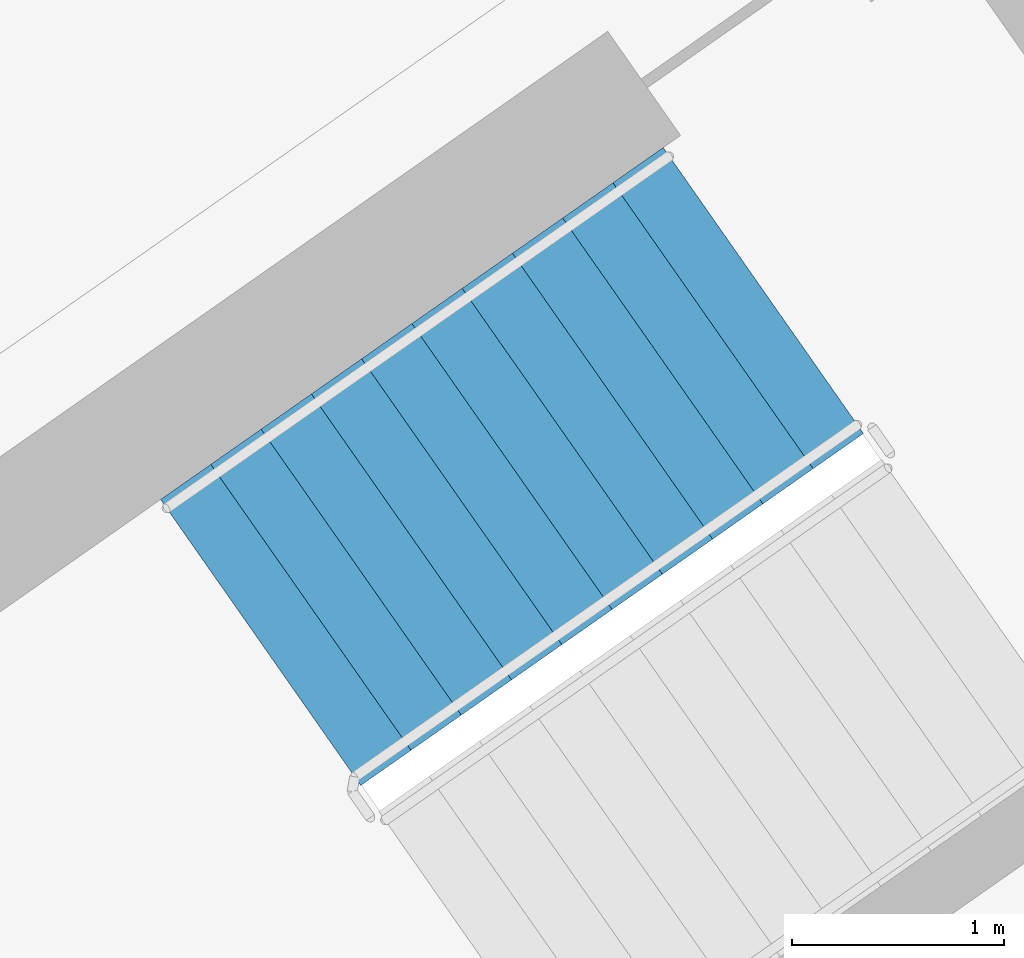
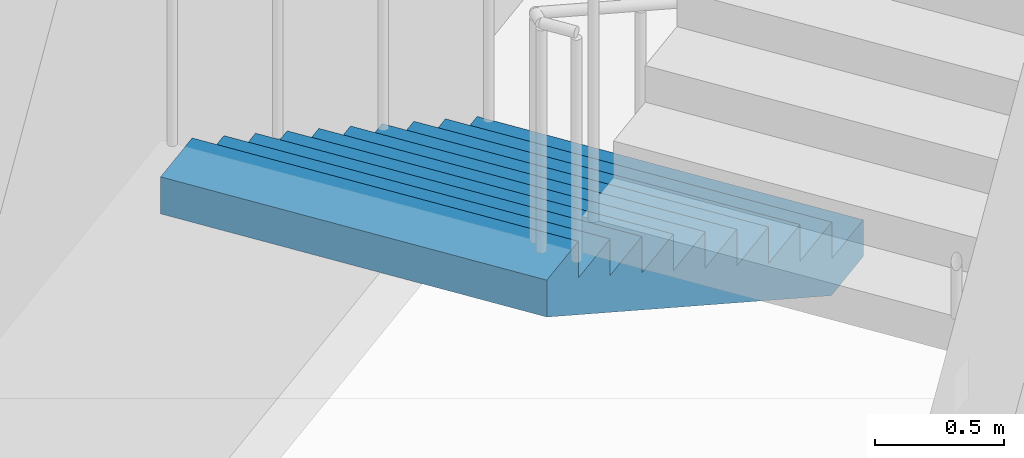
# One storey, part 16 of 26: 1 stair flight, 1 element without a shape of its own.
"""IFC4 building model written with IfcOpenShell, lengths in metres."""

from ifc_helpers import new_model, si_unit, direction, frame, origin, place, context, subcontext, project, spatial, faceted_brep, material, type_object, element, aggregate, save


model = new_model("IFC4")

# Units and contexts
model_context = context("Model", 3, precision=1e-05, world=origin(), true_north=direction((0.0, 1.0)))
body_context = subcontext(model_context, "Body", "Model", "MODEL_VIEW")
ifc_project = project(units=[si_unit("LENGTHUNIT", "METRE"), si_unit("AREAUNIT", "SQUARE_METRE"), si_unit("VOLUMEUNIT", "CUBIC_METRE"), si_unit("PLANEANGLEUNIT", "RADIAN"), si_unit("MASSUNIT", "GRAM", prefix="KILO")], contexts=[model_context])

# Site, building, storey
site_placement = place(None, origin())
site = spatial("IfcSite", under=ifc_project, at=site_placement, CompositionType="ELEMENT")
building_placement = place(site_placement, origin())
building = spatial("IfcBuilding", under=site, at=building_placement, Name="Qamariyya Broadcast Tower", CompositionType="ELEMENT")
storey_placement = place(building_placement, frame((0.0, 0.0, 168.300048828125)))
storey = spatial("IfcBuildingStorey", under=building, at=storey_placement, Name="L39", CompositionType="ELEMENT", Elevation=168.300048828125)

# Stair, stair flight
ifc_material = material(Name="Concrete C50/60", Category="concrete")
stair_type = type_object("IfcStairType", Name="Exit stair 22 risers of 173 mm", PredefinedType="HALF_TURN_STAIR", material=ifc_material)
stair_placement = place(storey_placement, origin())
stair = element("IfcStair", 1, at=stair_placement, inside=storey, type_object=stair_type, Name="L39 Stair E2", PredefinedType="HALF_TURN_STAIR")
stair_flight_type = type_object("IfcStairFlightType", Name="Exit stair flight 11 risers of 173 mm", PredefinedType="STRAIGHT", material=ifc_material)
stair_flight_placement = place(storey_placement, frame((40.558837890625, -47.685302734375, 0.0), z_axis=(0.0, 0.0, 1.0), x_axis=(-0.819152044289, -0.573576436351, 0.0)))
stair_flight = element("IfcStairFlight", 2, at=stair_flight_placement, type_object=stair_flight_type, Name="ST-E2 flight 1", NumberOfRisers=11, NumberOfTreads=10, PredefinedType="STRAIGHT", RiserHeight=0.172727273, TreadLength=0.29, context=body_context, shape_type="Brep", body=[
    faceted_brep([(0.0, 0.824951171875, 0.0), (0.0, 0.824951171875, 0.172607421875), (0.2900390625, 0.824951171875, 0.172607421875), (0.2900390625, 0.824951171875, 0.345458984375), (0.580078125, 0.824951171875, 0.345458984375), (0.580078125, 0.824951171875, 0.51806640625), (0.8701171875, 0.824951171875, 0.51806640625), (0.8701171875, 0.824951171875, 0.69091796875), (1.159912109375, 0.824951171875, 0.69091796875), (1.159912109375, 0.824951171875, 0.863525390625), (1.449951171875, 0.824951171875, 0.863525390625), (1.449951171875, 0.824951171875, 1.036376953125), (1.739990234375, 0.824951171875, 1.036376953125), (1.739990234375, 0.824951171875, 1.208984375), (2.030029296875, 0.824951171875, 1.208984375), (2.030029296875, 0.824951171875, 1.3818359375), (2.320068359375, 0.824951171875, 1.3818359375), (2.320068359375, 0.824951171875, 1.554443359375), (2.610107421875, 0.824951171875, 1.554443359375), (2.610107421875, 0.824951171875, 1.727294921875), (2.89990234375, 0.824951171875, 1.727294921875), (2.89990234375, 0.824951171875, 1.552734375), (0.29296875, 0.824951171875, 0.0), (0.29296875, -0.824951171875, 0.0), (2.89990234375, -0.824951171875, 1.552734375), (2.89990234375, -0.824951171875, 1.727294921875), (2.610107421875, -0.824951171875, 1.727294921875), (2.610107421875, -0.824951171875, 1.554443359375), (2.320068359375, -0.824951171875, 1.554443359375), (2.320068359375, -0.824951171875, 1.3818359375), (2.030029296875, -0.824951171875, 1.3818359375), (2.030029296875, -0.824951171875, 1.208984375), (1.739990234375, -0.824951171875, 1.208984375), (1.739990234375, -0.824951171875, 1.036376953125), (1.449951171875, -0.824951171875, 1.036376953125), (1.449951171875, -0.824951171875, 0.863525390625), (1.159912109375, -0.824951171875, 0.863525390625), (1.159912109375, -0.824951171875, 0.69091796875), (0.8701171875, -0.824951171875, 0.69091796875), (0.8701171875, -0.824951171875, 0.51806640625), (0.580078125, -0.824951171875, 0.51806640625), (0.580078125, -0.824951171875, 0.345458984375), (0.2900390625, -0.824951171875, 0.345458984375), (0.2900390625, -0.824951171875, 0.172607421875), (0.0, -0.824951171875, 0.172607421875), (0.0, -0.824951171875, 0.0), (0.0, 0.10009765625, 0.0), (0.0, 0.086669921875, 0.0), (0.0, 0.0732421875, 0.0), (0.0, 0.06005859375, 0.0), (0.0, 0.046630859375, 0.0), (0.0, 0.033447265625, 0.0), (0.0, 0.02001953125, 0.0), (0.0, 0.006591796875, 0.0), (0.0, -0.006591796875, 0.0), (0.0, -0.02001953125, 0.0), (0.0, -0.033447265625, 0.0), (0.0, -0.046630859375, 0.0), (0.0, -0.06005859375, 0.0), (0.0, -0.0732421875, 0.0), (0.0, -0.086669921875, 0.0), (0.0, -0.10009765625, 0.0), (0.0, -0.10009765625, 0.172607421875), (0.0, -0.086669921875, 0.172607421875), (0.0, -0.0732421875, 0.172607421875), (0.0, -0.06005859375, 0.172607421875), (0.0, -0.046630859375, 0.172607421875), (0.0, -0.033447265625, 0.172607421875), (0.0, -0.02001953125, 0.172607421875), (0.0, -0.006591796875, 0.172607421875), (0.0, 0.006591796875, 0.172607421875), (0.0, 0.02001953125, 0.172607421875), (0.0, 0.033447265625, 0.172607421875), (0.0, 0.046630859375, 0.172607421875), (0.0, 0.06005859375, 0.172607421875), (0.0, 0.0732421875, 0.172607421875), (0.0, 0.086669921875, 0.172607421875), (0.0, 0.10009765625, 0.172607421875), (0.2900390625, -0.10009765625, 0.172607421875), (0.2900390625, -0.086669921875, 0.172607421875), (0.2900390625, -0.0732421875, 0.172607421875), (0.2900390625, -0.06005859375, 0.172607421875), (0.2900390625, -0.046630859375, 0.172607421875), (0.2900390625, -0.033447265625, 0.172607421875), (0.2900390625, -0.02001953125, 0.172607421875), (0.2900390625, -0.006591796875, 0.172607421875), (0.2900390625, 0.006591796875, 0.172607421875), (0.2900390625, 0.02001953125, 0.172607421875), (0.2900390625, 0.033447265625, 0.172607421875), (0.2900390625, 0.046630859375, 0.172607421875), (0.2900390625, 0.06005859375, 0.172607421875), (0.2900390625, 0.0732421875, 0.172607421875), (0.2900390625, 0.086669921875, 0.172607421875), (0.2900390625, 0.10009765625, 0.172607421875), (0.2900390625, -0.10009765625, 0.345458984375), (0.2900390625, -0.086669921875, 0.345458984375), (0.2900390625, -0.0732421875, 0.345458984375), (0.2900390625, -0.06005859375, 0.345458984375), (0.2900390625, -0.046630859375, 0.345458984375), (0.2900390625, -0.033447265625, 0.345458984375), (0.2900390625, -0.02001953125, 0.345458984375), (0.2900390625, -0.006591796875, 0.345458984375), (0.2900390625, 0.006591796875, 0.345458984375), (0.2900390625, 0.02001953125, 0.345458984375), (0.2900390625, 0.033447265625, 0.345458984375), (0.2900390625, 0.046630859375, 0.345458984375), (0.2900390625, 0.06005859375, 0.345458984375), (0.2900390625, 0.0732421875, 0.345458984375), (0.2900390625, 0.086669921875, 0.345458984375), (0.2900390625, 0.10009765625, 0.345458984375), (0.580078125, -0.10009765625, 0.345458984375), (0.580078125, -0.086669921875, 0.345458984375), (0.580078125, -0.0732421875, 0.345458984375), (0.580078125, -0.06005859375, 0.345458984375), (0.580078125, -0.046630859375, 0.345458984375), (0.580078125, -0.033447265625, 0.345458984375), (0.580078125, -0.02001953125, 0.345458984375), (0.580078125, -0.006591796875, 0.345458984375), (0.580078125, 0.006591796875, 0.345458984375), (0.580078125, 0.02001953125, 0.345458984375), (0.580078125, 0.033447265625, 0.345458984375), (0.580078125, 0.046630859375, 0.345458984375), (0.580078125, 0.06005859375, 0.345458984375), (0.580078125, 0.0732421875, 0.345458984375), (0.580078125, 0.086669921875, 0.345458984375), (0.580078125, 0.10009765625, 0.345458984375), (0.580078125, -0.10009765625, 0.51806640625), (0.580078125, -0.086669921875, 0.51806640625), (0.580078125, -0.0732421875, 0.51806640625), (0.580078125, -0.06005859375, 0.51806640625), (0.580078125, -0.046630859375, 0.51806640625), (0.580078125, -0.033447265625, 0.51806640625), (0.580078125, -0.02001953125, 0.51806640625), (0.580078125, -0.006591796875, 0.51806640625), (0.580078125, 0.006591796875, 0.51806640625), (0.580078125, 0.02001953125, 0.51806640625), (0.580078125, 0.033447265625, 0.51806640625), (0.580078125, 0.046630859375, 0.51806640625), (0.580078125, 0.06005859375, 0.51806640625), (0.580078125, 0.0732421875, 0.51806640625), (0.580078125, 0.086669921875, 0.51806640625), (0.580078125, 0.10009765625, 0.51806640625), (0.8701171875, -0.10009765625, 0.51806640625), (0.8701171875, -0.086669921875, 0.51806640625), (0.8701171875, -0.0732421875, 0.51806640625), (0.8701171875, -0.06005859375, 0.51806640625), (0.8701171875, -0.046630859375, 0.51806640625), (0.8701171875, -0.033447265625, 0.51806640625), (0.8701171875, -0.02001953125, 0.51806640625), (0.8701171875, -0.006591796875, 0.51806640625), (0.8701171875, 0.006591796875, 0.51806640625), (0.8701171875, 0.02001953125, 0.51806640625), (0.8701171875, 0.033447265625, 0.51806640625), (0.8701171875, 0.046630859375, 0.51806640625), (0.8701171875, 0.06005859375, 0.51806640625), (0.8701171875, 0.0732421875, 0.51806640625), (0.8701171875, 0.086669921875, 0.51806640625), (0.8701171875, 0.10009765625, 0.51806640625), (0.8701171875, -0.10009765625, 0.69091796875), (0.8701171875, -0.086669921875, 0.69091796875), (0.8701171875, -0.0732421875, 0.69091796875), (0.8701171875, -0.06005859375, 0.69091796875), (0.8701171875, -0.046630859375, 0.69091796875), (0.8701171875, -0.033447265625, 0.69091796875), (0.8701171875, -0.02001953125, 0.69091796875), (0.8701171875, -0.006591796875, 0.69091796875), (0.8701171875, 0.006591796875, 0.69091796875), (0.8701171875, 0.02001953125, 0.69091796875), (0.8701171875, 0.033447265625, 0.69091796875), (0.8701171875, 0.046630859375, 0.69091796875), (0.8701171875, 0.06005859375, 0.69091796875), (0.8701171875, 0.0732421875, 0.69091796875), (0.8701171875, 0.086669921875, 0.69091796875), (0.8701171875, 0.10009765625, 0.69091796875), (1.159912109375, -0.10009765625, 0.69091796875), (1.159912109375, -0.086669921875, 0.69091796875), (1.159912109375, -0.0732421875, 0.69091796875), (1.159912109375, -0.06005859375, 0.69091796875), (1.159912109375, -0.046630859375, 0.69091796875), (1.159912109375, -0.033447265625, 0.69091796875), (1.159912109375, -0.02001953125, 0.69091796875), (1.159912109375, -0.006591796875, 0.69091796875), (1.159912109375, 0.006591796875, 0.69091796875), (1.159912109375, 0.02001953125, 0.69091796875), (1.159912109375, 0.033447265625, 0.69091796875), (1.159912109375, 0.046630859375, 0.69091796875), (1.159912109375, 0.06005859375, 0.69091796875), (1.159912109375, 0.0732421875, 0.69091796875), (1.159912109375, 0.086669921875, 0.69091796875), (1.159912109375, 0.10009765625, 0.69091796875), (1.159912109375, -0.10009765625, 0.863525390625), (1.159912109375, -0.086669921875, 0.863525390625), (1.159912109375, -0.0732421875, 0.863525390625), (1.159912109375, -0.06005859375, 0.863525390625), (1.159912109375, -0.046630859375, 0.863525390625), (1.159912109375, -0.033447265625, 0.863525390625), (1.159912109375, -0.02001953125, 0.863525390625), (1.159912109375, -0.006591796875, 0.863525390625), (1.159912109375, 0.006591796875, 0.863525390625), (1.159912109375, 0.02001953125, 0.863525390625), (1.159912109375, 0.033447265625, 0.863525390625), (1.159912109375, 0.046630859375, 0.863525390625), (1.159912109375, 0.06005859375, 0.863525390625), (1.159912109375, 0.0732421875, 0.863525390625), (1.159912109375, 0.086669921875, 0.863525390625), (1.159912109375, 0.10009765625, 0.863525390625), (1.449951171875, -0.10009765625, 0.863525390625), (1.449951171875, -0.086669921875, 0.863525390625), (1.449951171875, -0.0732421875, 0.863525390625), (1.449951171875, -0.06005859375, 0.863525390625), (1.449951171875, -0.046630859375, 0.863525390625), (1.449951171875, -0.033447265625, 0.863525390625), (1.449951171875, -0.02001953125, 0.863525390625), (1.449951171875, -0.006591796875, 0.863525390625), (1.449951171875, 0.006591796875, 0.863525390625), (1.449951171875, 0.02001953125, 0.863525390625), (1.449951171875, 0.033447265625, 0.863525390625), (1.449951171875, 0.046630859375, 0.863525390625), (1.449951171875, 0.06005859375, 0.863525390625), (1.449951171875, 0.0732421875, 0.863525390625), (1.449951171875, 0.086669921875, 0.863525390625), (1.449951171875, 0.10009765625, 0.863525390625), (1.449951171875, -0.10009765625, 1.036376953125), (1.449951171875, -0.086669921875, 1.036376953125), (1.449951171875, -0.0732421875, 1.036376953125), (1.449951171875, -0.06005859375, 1.036376953125), (1.449951171875, -0.046630859375, 1.036376953125), (1.449951171875, -0.033447265625, 1.036376953125), (1.449951171875, -0.02001953125, 1.036376953125), (1.449951171875, -0.006591796875, 1.036376953125), (1.449951171875, 0.006591796875, 1.036376953125), (1.449951171875, 0.02001953125, 1.036376953125), (1.449951171875, 0.033447265625, 1.036376953125), (1.449951171875, 0.046630859375, 1.036376953125), (1.449951171875, 0.06005859375, 1.036376953125), (1.449951171875, 0.0732421875, 1.036376953125), (1.449951171875, 0.086669921875, 1.036376953125), (1.449951171875, 0.10009765625, 1.036376953125), (1.739990234375, -0.10009765625, 1.036376953125), (1.739990234375, -0.086669921875, 1.036376953125), (1.739990234375, -0.0732421875, 1.036376953125), (1.739990234375, -0.06005859375, 1.036376953125), (1.739990234375, -0.046630859375, 1.036376953125), (1.739990234375, -0.033447265625, 1.036376953125), (1.739990234375, -0.02001953125, 1.036376953125), (1.739990234375, -0.006591796875, 1.036376953125), (1.739990234375, 0.006591796875, 1.036376953125), (1.739990234375, 0.02001953125, 1.036376953125), (1.739990234375, 0.033447265625, 1.036376953125), (1.739990234375, 0.046630859375, 1.036376953125), (1.739990234375, 0.06005859375, 1.036376953125), (1.739990234375, 0.0732421875, 1.036376953125), (1.739990234375, 0.086669921875, 1.036376953125), (1.739990234375, 0.10009765625, 1.036376953125), (1.739990234375, -0.10009765625, 1.208984375), (1.739990234375, -0.086669921875, 1.208984375), (1.739990234375, -0.0732421875, 1.208984375), (1.739990234375, -0.06005859375, 1.208984375), (1.739990234375, -0.046630859375, 1.208984375), (1.739990234375, -0.033447265625, 1.208984375), (1.739990234375, -0.02001953125, 1.208984375), (1.739990234375, -0.006591796875, 1.208984375), (1.739990234375, 0.006591796875, 1.208984375), (1.739990234375, 0.02001953125, 1.208984375), (1.739990234375, 0.033447265625, 1.208984375), (1.739990234375, 0.046630859375, 1.208984375), (1.739990234375, 0.06005859375, 1.208984375), (1.739990234375, 0.0732421875, 1.208984375), (1.739990234375, 0.086669921875, 1.208984375), (1.739990234375, 0.10009765625, 1.208984375), (2.030029296875, -0.10009765625, 1.208984375), (2.030029296875, -0.086669921875, 1.208984375), (2.030029296875, -0.0732421875, 1.208984375), (2.030029296875, -0.06005859375, 1.208984375), (2.030029296875, -0.046630859375, 1.208984375), (2.030029296875, -0.033447265625, 1.208984375), (2.030029296875, -0.02001953125, 1.208984375), (2.030029296875, -0.006591796875, 1.208984375), (2.030029296875, 0.006591796875, 1.208984375), (2.030029296875, 0.02001953125, 1.208984375), (2.030029296875, 0.033447265625, 1.208984375), (2.030029296875, 0.046630859375, 1.208984375), (2.030029296875, 0.06005859375, 1.208984375), (2.030029296875, 0.0732421875, 1.208984375), (2.030029296875, 0.086669921875, 1.208984375), (2.030029296875, 0.10009765625, 1.208984375), (2.030029296875, -0.10009765625, 1.3818359375), (2.030029296875, -0.086669921875, 1.3818359375), (2.030029296875, -0.0732421875, 1.3818359375), (2.030029296875, -0.06005859375, 1.3818359375), (2.030029296875, -0.046630859375, 1.3818359375), (2.030029296875, -0.033447265625, 1.3818359375), (2.030029296875, -0.02001953125, 1.3818359375), (2.030029296875, -0.006591796875, 1.3818359375), (2.030029296875, 0.006591796875, 1.3818359375), (2.030029296875, 0.02001953125, 1.3818359375), (2.030029296875, 0.033447265625, 1.3818359375), (2.030029296875, 0.046630859375, 1.3818359375), (2.030029296875, 0.06005859375, 1.3818359375), (2.030029296875, 0.0732421875, 1.3818359375), (2.030029296875, 0.086669921875, 1.3818359375), (2.030029296875, 0.10009765625, 1.3818359375), (2.320068359375, -0.10009765625, 1.3818359375), (2.320068359375, -0.086669921875, 1.3818359375), (2.320068359375, -0.0732421875, 1.3818359375), (2.320068359375, -0.06005859375, 1.3818359375), (2.320068359375, -0.046630859375, 1.3818359375), (2.320068359375, -0.033447265625, 1.3818359375), (2.320068359375, -0.02001953125, 1.3818359375), (2.320068359375, -0.006591796875, 1.3818359375), (2.320068359375, 0.006591796875, 1.3818359375), (2.320068359375, 0.02001953125, 1.3818359375), (2.320068359375, 0.033447265625, 1.3818359375), (2.320068359375, 0.046630859375, 1.3818359375), (2.320068359375, 0.06005859375, 1.3818359375), (2.320068359375, 0.0732421875, 1.3818359375), (2.320068359375, 0.086669921875, 1.3818359375), (2.320068359375, 0.10009765625, 1.3818359375), (2.320068359375, -0.10009765625, 1.554443359375), (2.320068359375, -0.086669921875, 1.554443359375), (2.320068359375, -0.0732421875, 1.554443359375), (2.320068359375, -0.06005859375, 1.554443359375), (2.320068359375, -0.046630859375, 1.554443359375), (2.320068359375, -0.033447265625, 1.554443359375), (2.320068359375, -0.02001953125, 1.554443359375), (2.320068359375, -0.006591796875, 1.554443359375), (2.320068359375, 0.006591796875, 1.554443359375), (2.320068359375, 0.02001953125, 1.554443359375), (2.320068359375, 0.033447265625, 1.554443359375), (2.320068359375, 0.046630859375, 1.554443359375), (2.320068359375, 0.06005859375, 1.554443359375), (2.320068359375, 0.0732421875, 1.554443359375), (2.320068359375, 0.086669921875, 1.554443359375), (2.320068359375, 0.10009765625, 1.554443359375), (2.610107421875, -0.10009765625, 1.554443359375), (2.610107421875, -0.086669921875, 1.554443359375), (2.610107421875, -0.0732421875, 1.554443359375), (2.610107421875, -0.06005859375, 1.554443359375), (2.610107421875, -0.046630859375, 1.554443359375), (2.610107421875, -0.033447265625, 1.554443359375), (2.610107421875, -0.02001953125, 1.554443359375), (2.610107421875, -0.006591796875, 1.554443359375), (2.610107421875, 0.006591796875, 1.554443359375), (2.610107421875, 0.02001953125, 1.554443359375), (2.610107421875, 0.033447265625, 1.554443359375), (2.610107421875, 0.046630859375, 1.554443359375), (2.610107421875, 0.06005859375, 1.554443359375), (2.610107421875, 0.0732421875, 1.554443359375), (2.610107421875, 0.086669921875, 1.554443359375), (2.610107421875, 0.10009765625, 1.554443359375), (2.610107421875, -0.10009765625, 1.727294921875), (2.610107421875, -0.086669921875, 1.727294921875), (2.610107421875, -0.0732421875, 1.727294921875), (2.610107421875, -0.06005859375, 1.727294921875), (2.610107421875, -0.046630859375, 1.727294921875), (2.610107421875, -0.033447265625, 1.727294921875), (2.610107421875, -0.02001953125, 1.727294921875), (2.610107421875, -0.006591796875, 1.727294921875), (2.610107421875, 0.006591796875, 1.727294921875), (2.610107421875, 0.02001953125, 1.727294921875), (2.610107421875, 0.033447265625, 1.727294921875), (2.610107421875, 0.046630859375, 1.727294921875), (2.610107421875, 0.06005859375, 1.727294921875), (2.610107421875, 0.0732421875, 1.727294921875), (2.610107421875, 0.086669921875, 1.727294921875), (2.610107421875, 0.10009765625, 1.727294921875), (2.89990234375, -0.10009765625, 1.727294921875), (2.89990234375, -0.086669921875, 1.727294921875), (2.89990234375, -0.0732421875, 1.727294921875), (2.89990234375, -0.06005859375, 1.727294921875), (2.89990234375, -0.046630859375, 1.727294921875), (2.89990234375, -0.033447265625, 1.727294921875), (2.89990234375, -0.02001953125, 1.727294921875), (2.89990234375, -0.006591796875, 1.727294921875), (2.89990234375, 0.006591796875, 1.727294921875), (2.89990234375, 0.02001953125, 1.727294921875), (2.89990234375, 0.033447265625, 1.727294921875), (2.89990234375, 0.046630859375, 1.727294921875), (2.89990234375, 0.06005859375, 1.727294921875), (2.89990234375, 0.0732421875, 1.727294921875), (2.89990234375, 0.086669921875, 1.727294921875), (2.89990234375, 0.10009765625, 1.727294921875), (2.89990234375, -0.10009765625, 1.552734375), (2.89990234375, -0.086669921875, 1.552734375), (2.89990234375, -0.0732421875, 1.552734375), (2.89990234375, -0.06005859375, 1.552734375), (2.89990234375, -0.046630859375, 1.552734375), (2.89990234375, -0.033447265625, 1.552734375), (2.89990234375, -0.02001953125, 1.552734375), (2.89990234375, -0.006591796875, 1.552734375), (2.89990234375, 0.006591796875, 1.552734375), (2.89990234375, 0.02001953125, 1.552734375), (2.89990234375, 0.033447265625, 1.552734375), (2.89990234375, 0.046630859375, 1.552734375), (2.89990234375, 0.06005859375, 1.552734375), (2.89990234375, 0.0732421875, 1.552734375), (2.89990234375, 0.086669921875, 1.552734375), (2.89990234375, 0.10009765625, 1.552734375), (0.29296875, -0.10009765625, 0.0), (0.29296875, -0.086669921875, 0.0), (0.29296875, -0.0732421875, 0.0), (0.29296875, -0.06005859375, 0.0), (0.29296875, -0.046630859375, 0.0), (0.29296875, -0.033447265625, 0.0), (0.29296875, -0.02001953125, 0.0), (0.29296875, -0.006591796875, 0.0), (0.29296875, 0.006591796875, 0.0), (0.29296875, 0.02001953125, 0.0), (0.29296875, 0.033447265625, 0.0), (0.29296875, 0.046630859375, 0.0), (0.29296875, 0.06005859375, 0.0), (0.29296875, 0.0732421875, 0.0), (0.29296875, 0.086669921875, 0.0), (0.29296875, 0.10009765625, 0.0)], [[[0, 1, 2, 3, 4, 5, 6, 7, 8, 9, 10, 11, 12, 13, 14, 15, 16, 17, 18, 19, 20, 21, 22]], [[23, 24, 25, 26, 27, 28, 29, 30, 31, 32, 33, 34, 35, 36, 37, 38, 39, 40, 41, 42, 43, 44, 45]], [[0, 46, 47, 48, 49, 50, 51, 52, 53, 54, 55, 56, 57, 58, 59, 60, 61, 45, 44, 62, 63, 64, 65, 66, 67, 68, 69, 70, 71, 72, 73, 74, 75, 76, 77, 1]], [[1, 77, 76, 75, 74, 73, 72, 71, 70, 69, 68, 67, 66, 65, 64, 63, 62, 44, 43, 78, 79, 80, 81, 82, 83, 84, 85, 86, 87, 88, 89, 90, 91, 92, 93, 2]], [[2, 93, 92, 91, 90, 89, 88, 87, 86, 85, 84, 83, 82, 81, 80, 79, 78, 43, 42, 94, 95, 96, 97, 98, 99, 100, 101, 102, 103, 104, 105, 106, 107, 108, 109, 3]], [[3, 109, 108, 107, 106, 105, 104, 103, 102, 101, 100, 99, 98, 97, 96, 95, 94, 42, 41, 110, 111, 112, 113, 114, 115, 116, 117, 118, 119, 120, 121, 122, 123, 124, 125, 4]], [[4, 125, 124, 123, 122, 121, 120, 119, 118, 117, 116, 115, 114, 113, 112, 111, 110, 41, 40, 126, 127, 128, 129, 130, 131, 132, 133, 134, 135, 136, 137, 138, 139, 140, 141, 5]], [[5, 141, 140, 139, 138, 137, 136, 135, 134, 133, 132, 131, 130, 129, 128, 127, 126, 40, 39, 142, 143, 144, 145, 146, 147, 148, 149, 150, 151, 152, 153, 154, 155, 156, 157, 6]], [[6, 157, 156, 155, 154, 153, 152, 151, 150, 149, 148, 147, 146, 145, 144, 143, 142, 39, 38, 158, 159, 160, 161, 162, 163, 164, 165, 166, 167, 168, 169, 170, 171, 172, 173, 7]], [[7, 173, 172, 171, 170, 169, 168, 167, 166, 165, 164, 163, 162, 161, 160, 159, 158, 38, 37, 174, 175, 176, 177, 178, 179, 180, 181, 182, 183, 184, 185, 186, 187, 188, 189, 8]], [[8, 189, 188, 187, 186, 185, 184, 183, 182, 181, 180, 179, 178, 177, 176, 175, 174, 37, 36, 190, 191, 192, 193, 194, 195, 196, 197, 198, 199, 200, 201, 202, 203, 204, 205, 9]], [[9, 205, 204, 203, 202, 201, 200, 199, 198, 197, 196, 195, 194, 193, 192, 191, 190, 36, 35, 206, 207, 208, 209, 210, 211, 212, 213, 214, 215, 216, 217, 218, 219, 220, 221, 10]], [[10, 221, 220, 219, 218, 217, 216, 215, 214, 213, 212, 211, 210, 209, 208, 207, 206, 35, 34, 222, 223, 224, 225, 226, 227, 228, 229, 230, 231, 232, 233, 234, 235, 236, 237, 11]], [[11, 237, 236, 235, 234, 233, 232, 231, 230, 229, 228, 227, 226, 225, 224, 223, 222, 34, 33, 238, 239, 240, 241, 242, 243, 244, 245, 246, 247, 248, 249, 250, 251, 252, 253, 12]], [[12, 253, 252, 251, 250, 249, 248, 247, 246, 245, 244, 243, 242, 241, 240, 239, 238, 33, 32, 254, 255, 256, 257, 258, 259, 260, 261, 262, 263, 264, 265, 266, 267, 268, 269, 13]], [[13, 269, 268, 267, 266, 265, 264, 263, 262, 261, 260, 259, 258, 257, 256, 255, 254, 32, 31, 270, 271, 272, 273, 274, 275, 276, 277, 278, 279, 280, 281, 282, 283, 284, 285, 14]], [[14, 285, 284, 283, 282, 281, 280, 279, 278, 277, 276, 275, 274, 273, 272, 271, 270, 31, 30, 286, 287, 288, 289, 290, 291, 292, 293, 294, 295, 296, 297, 298, 299, 300, 301, 15]], [[15, 301, 300, 299, 298, 297, 296, 295, 294, 293, 292, 291, 290, 289, 288, 287, 286, 30, 29, 302, 303, 304, 305, 306, 307, 308, 309, 310, 311, 312, 313, 314, 315, 316, 317, 16]], [[16, 317, 316, 315, 314, 313, 312, 311, 310, 309, 308, 307, 306, 305, 304, 303, 302, 29, 28, 318, 319, 320, 321, 322, 323, 324, 325, 326, 327, 328, 329, 330, 331, 332, 333, 17]], [[17, 333, 332, 331, 330, 329, 328, 327, 326, 325, 324, 323, 322, 321, 320, 319, 318, 28, 27, 334, 335, 336, 337, 338, 339, 340, 341, 342, 343, 344, 345, 346, 347, 348, 349, 18]], [[18, 349, 348, 347, 346, 345, 344, 343, 342, 341, 340, 339, 338, 337, 336, 335, 334, 27, 26, 350, 351, 352, 353, 354, 355, 356, 357, 358, 359, 360, 361, 362, 363, 364, 365, 19]], [[19, 365, 364, 363, 362, 361, 360, 359, 358, 357, 356, 355, 354, 353, 352, 351, 350, 26, 25, 366, 367, 368, 369, 370, 371, 372, 373, 374, 375, 376, 377, 378, 379, 380, 381, 20]], [[20, 381, 380, 379, 378, 377, 376, 375, 374, 373, 372, 371, 370, 369, 368, 367, 366, 25, 24, 382, 383, 384, 385, 386, 387, 388, 389, 390, 391, 392, 393, 394, 395, 396, 397, 21]], [[21, 397, 396, 395, 394, 393, 392, 391, 390, 389, 388, 387, 386, 385, 384, 383, 382, 24, 23, 398, 399, 400, 401, 402, 403, 404, 405, 406, 407, 408, 409, 410, 411, 412, 413, 22]], [[22, 413, 412, 411, 410, 409, 408, 407, 406, 405, 404, 403, 402, 401, 400, 399, 398, 23, 45, 61, 60, 59, 58, 57, 56, 55, 54, 53, 52, 51, 50, 49, 48, 47, 46, 0]]]),
])
aggregate(stair, [stair_flight])

save(model, "model.ifc")
